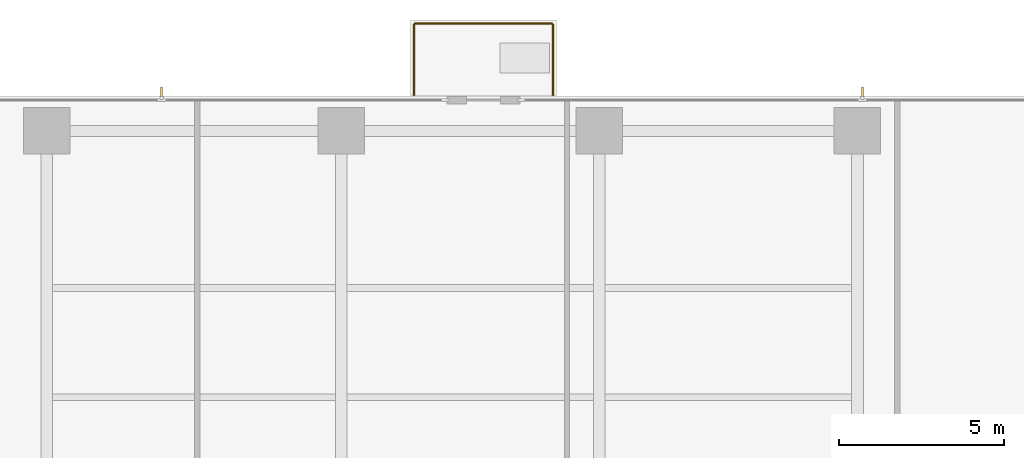
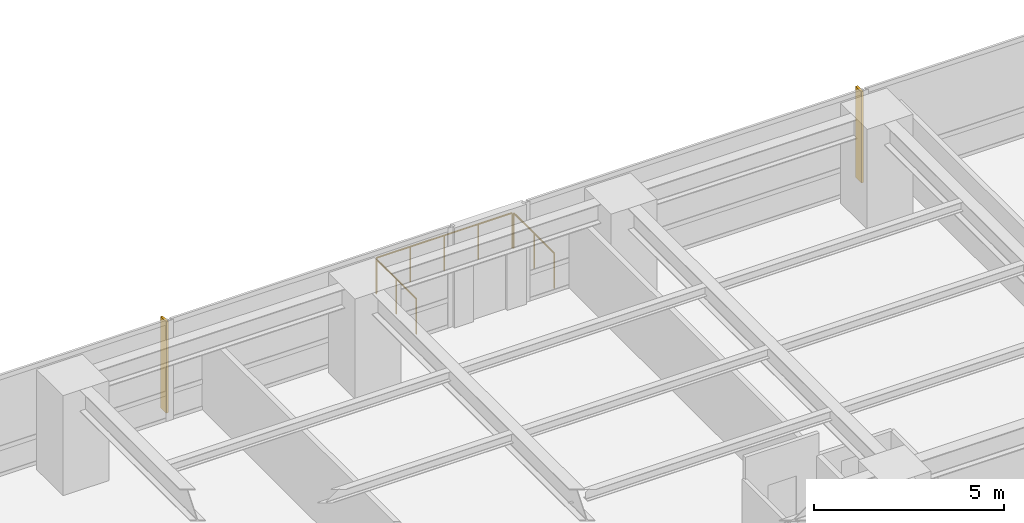
# One storey, part 17 of 17: 3 railings, 2 shading devices.
"""IFC4 building model written with IfcOpenShell, lengths in metres."""

from ifc_helpers import new_model, si_unit, direction, frame, origin, origin_2d, place, context, subcontext, project, spatial, polyline, circle, outline, extrude, material, layer, layer_set, type_object, element, save


model = new_model("IFC4")

# Units and contexts
model_context = context("Model", 3, precision=1e-05, world=origin(), true_north=direction((0.0, 1.0)))
body_context = subcontext(model_context, "Body", "Model", "MODEL_VIEW")
ifc_project = project(units=[si_unit("LENGTHUNIT", "METRE"), si_unit("AREAUNIT", "SQUARE_METRE"), si_unit("VOLUMEUNIT", "CUBIC_METRE"), si_unit("PLANEANGLEUNIT", "RADIAN"), si_unit("MASSUNIT", "GRAM", prefix="KILO")], contexts=[model_context])

# Site, building, storey
site_placement = place(None, origin())
site = spatial("IfcSite", under=ifc_project, at=site_placement, CompositionType="ELEMENT")
building_placement = place(site_placement, origin())
building = spatial("IfcBuilding", under=site, at=building_placement, Name="Qalmaran Belvedere Hotel", CompositionType="ELEMENT")
storey_placement = place(building_placement, frame((0.0, 0.0, 47.39990234375)))
storey = spatial("IfcBuildingStorey", under=building, at=storey_placement, Name="L11", CompositionType="ELEMENT", Elevation=47.39990234375)

# Shading devices
ifc_material = material(Name="Anodised Bronze Aluminium", Category="aluminium")
ifc_layer = layer(ifc_material, 0.06494140625, Name="Anodised Bronze Aluminium")
ifc_layer_set = layer_set([ifc_layer], Name="Anodised Bronze Aluminium")
shading_device_type = type_object("IfcShadingDeviceType", Name="FIN-BRNZ-300", PredefinedType="USERDEFINED", material=ifc_layer_set)
shading_device_1_placement = place(storey_placement, frame((0.0, 0.0, 0.16015625)))
element("IfcShadingDevice", 1, at=shading_device_1_placement, inside=storey, type_object=shading_device_type, Name="L11 Bronze Fin 1", ObjectType="FIN", PredefinedType="USERDEFINED", context=body_context, shape_type="SweptSolid", body=[
    extrude(outline(polyline([(23.8076171875, 48.472412109375), (23.8076171875, 48.7724609375), (23.742431640625, 48.7724609375), (23.742431640625, 48.472412109375), (23.8076171875, 48.472412109375)])), origin(), (0.0, 0.0, 1.0), 2.93994140625),
])
shading_device_2_placement = place(storey_placement, frame((0.0, 0.0, 0.16015625)))
element("IfcShadingDevice", 2, at=shading_device_2_placement, inside=storey, type_object=shading_device_type, Name="L11 Bronze Fin 1", ObjectType="FIN", PredefinedType="USERDEFINED", context=body_context, shape_type="SweptSolid", body=[
    extrude(outline(polyline([(44.982421875, 48.472412109375), (44.982421875, 48.7724609375), (44.91748046875, 48.7724609375), (44.91748046875, 48.472412109375), (44.982421875, 48.472412109375)])), origin(), (0.0, 0.0, 1.0), 2.93994140625),
])

# Railings
railing_type = type_object("IfcRailingType", Name="GRD-BAL-1150", PredefinedType="BALUSTRADE", material=ifc_material)
railing_1_placement = place(storey_placement, frame((31.39990234375, 48.534912109375, 0.0)))
element("IfcRailing", 3, at=railing_1_placement, inside=storey, type_object=railing_type, Name="L11 Guardrail BAL-L11-N-1", PredefinedType="BALUSTRADE", context=body_context, shape_type="SweptSolid", body=[
    extrude(circle(Radius=0.02392578125, at=origin_2d()), frame((0.0, 0.0, 1.1259765625), z_axis=(0.0, 1.0, 0.0), x_axis=(-1.0, 0.0, 0.0)), (0.0, 0.0, 1.0), 2.130126953125),
    extrude(circle(Radius=0.02099609375, at=origin_2d()), origin(), (0.0, 0.0, 1.0), 1.101806640625),
    extrude(circle(Radius=0.02099609375, at=origin_2d()), frame((0.0, 1.06494140625, 0.0)), (0.0, 0.0, 1.0), 1.101806640625),
    extrude(circle(Radius=0.02099609375, at=origin_2d()), frame((0.0, 2.130126953125, 0.0)), (0.0, 0.0, 1.0), 1.101806640625),
])
railing_2_placement = place(storey_placement, frame((31.43505859375, 50.699951171875, 0.0)))
element("IfcRailing", 4, at=railing_2_placement, inside=storey, type_object=railing_type, Name="L11 Guardrail BAL-L11-N-2", PredefinedType="BALUSTRADE", context=body_context, shape_type="SweptSolid", body=[
    extrude(circle(Radius=0.02392578125, at=origin_2d()), frame((0.0, 0.0, 1.1259765625), z_axis=(1.0, 0.0, 0.0), x_axis=(0.0, 1.0, 0.0)), (0.0, 0.0, 1.0), 4.1298828125),
    extrude(circle(Radius=0.02099609375, at=origin_2d()), origin(), (0.0, 0.0, 1.0), 1.101806640625),
    extrude(circle(Radius=0.02099609375, at=origin_2d()), frame((1.032470703125, 0.0, 0.0)), (0.0, 0.0, 1.0), 1.101806640625),
    extrude(circle(Radius=0.02099609375, at=origin_2d()), frame((2.06494140625, 0.0, 0.0)), (0.0, 0.0, 1.0), 1.101806640625),
    extrude(circle(Radius=0.02099609375, at=origin_2d()), frame((3.097412109375, 0.0, 0.0)), (0.0, 0.0, 1.0), 1.101806640625),
    extrude(circle(Radius=0.02099609375, at=origin_2d()), frame((4.1298828125, 0.0, 0.0)), (0.0, 0.0, 1.0), 1.101806640625),
])
railing_3_placement = place(storey_placement, frame((35.60009765625, 50.6650390625, 0.0)))
element("IfcRailing", 5, at=railing_3_placement, inside=storey, type_object=railing_type, Name="L11 Guardrail BAL-L11-N-3", PredefinedType="BALUSTRADE", context=body_context, shape_type="SweptSolid", body=[
    extrude(circle(Radius=0.02392578125, at=origin_2d()), frame((0.0, 0.0, 1.1259765625), z_axis=(0.0, -1.0, 0.0), x_axis=(1.0, 0.0, 0.0)), (0.0, 0.0, 1.0), 2.130126953125),
    extrude(circle(Radius=0.02099609375, at=origin_2d()), origin(), (0.0, 0.0, 1.0), 1.101806640625),
    extrude(circle(Radius=0.02099609375, at=origin_2d()), frame((0.0, -1.06494140625, 0.0)), (0.0, 0.0, 1.0), 1.101806640625),
    extrude(circle(Radius=0.02099609375, at=origin_2d()), frame((0.0, -2.130126953125, 0.0)), (0.0, 0.0, 1.0), 1.101806640625),
])

save(model, "model.ifc")
